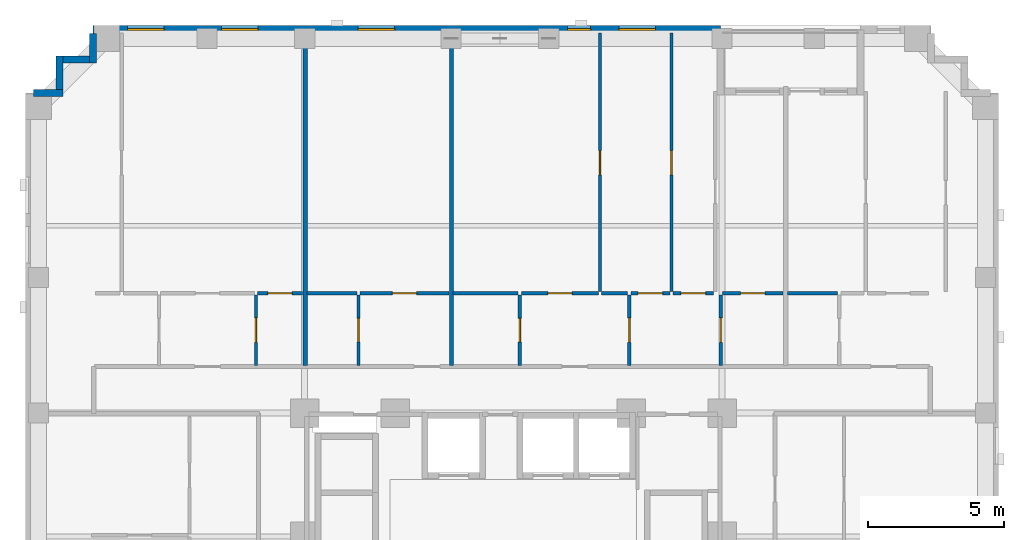
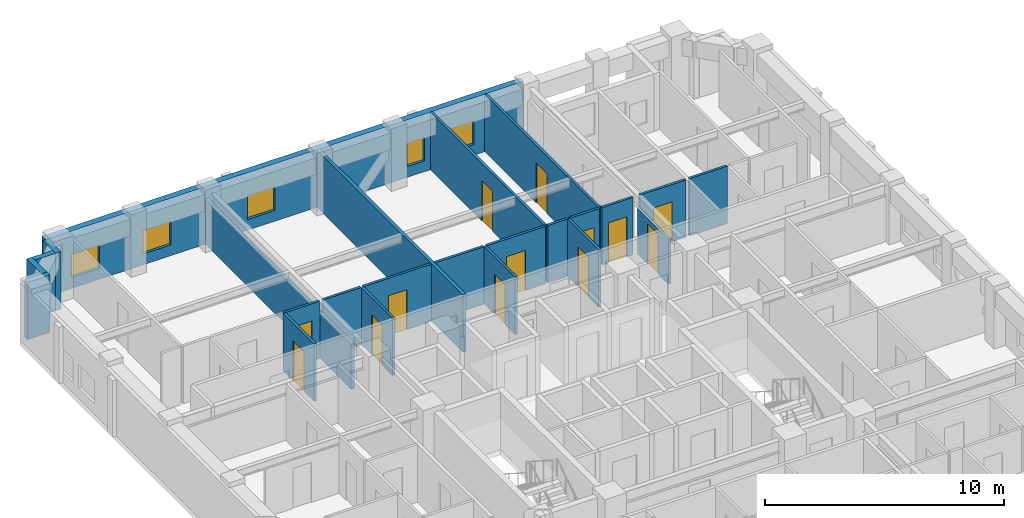
# One storey, part 7 of 12: 24 walls, 13 doors, 5 windows, 18 openings.
"""IFC4 building model written with IfcOpenShell, lengths in metres."""

from ifc_helpers import new_model, si_unit, derived_unit, direction, frame, frame_2d, origin, place, context, subcontext, project, spatial, rectangle, extrude, material, layer, layer_set, type_object, element, fill, save


model = new_model("IFC4")

# Units and contexts
model_context = context("Model", 3, precision=1e-05, world=origin(), true_north=direction((0.0, 1.0)))
body_context = subcontext(model_context, "Body", "Model", "MODEL_VIEW")
ifc_project = project(units=[si_unit("LENGTHUNIT", "METRE"), si_unit("AREAUNIT", "SQUARE_METRE"), si_unit("VOLUMEUNIT", "CUBIC_METRE"), si_unit("PLANEANGLEUNIT", "RADIAN"), si_unit("MASSUNIT", "GRAM", prefix="KILO"), derived_unit("THERMALTRANSMITTANCEUNIT", [(si_unit("MASSUNIT", "GRAM", prefix="KILO"), 1), (si_unit("TIMEUNIT", "SECOND"), -3), (si_unit("THERMODYNAMICTEMPERATUREUNIT", "KELVIN"), -1)])], contexts=[model_context])

# Site, building, storey
site_placement = place(None, origin())
site = spatial("IfcSite", under=ifc_project, at=site_placement, CompositionType="ELEMENT")
building_placement = place(site_placement, origin())
building = spatial("IfcBuilding", under=site, at=building_placement, Name="Korrvale Station Residences", CompositionType="ELEMENT")
storey_placement = place(building_placement, frame((0.0, 0.0, 103.89990234375)))
storey = spatial("IfcBuildingStorey", under=building, at=storey_placement, Name="L29", CompositionType="ELEMENT", Elevation=103.89990234375)

# Walls
ifc_material_1 = material(Name="Precast concrete C45/55", Category="concrete")
ifc_layer_1 = layer(ifc_material_1, 0.260009765625, Name="Precast concrete C45/55")
ifc_layer_set_1 = layer_set([ifc_layer_1], Name="Precast concrete C45/55")
wall_type_1 = type_object("IfcWallType", Name="WAL-EXT-LOG260", PredefinedType="SOLIDWALL", material=ifc_layer_set_1)
wall_1_placement = place(storey_placement, frame((7.802001953125, 40.800048828125, 0.0), z_axis=(0.0, 0.0, 1.0), x_axis=(1.0, 0.0, 0.0)))
element("IfcWall", 1, at=wall_1_placement, inside=storey, type_object=wall_type_1, Name="L29 Serrated Corner Precast Step NW-1", PredefinedType="SOLIDWALL", context=body_context, shape_type="SweptSolid", body=[
    extrude(rectangle(XDim=1.077880859375, YDim=0.260009765625, at=frame_2d((0.5390625, 0.0))), origin(), (0.0, 0.0, 1.0), 2.940185546875),
])
wall_2_placement = place(storey_placement, frame((8.75, 40.931884765625, 0.0), z_axis=(0.0, 0.0, 1.0), x_axis=(0.0, 1.0, 0.0)))
element("IfcWall", 2, at=wall_2_placement, inside=storey, type_object=wall_type_1, Name="L29 Serrated Corner Precast Step NW-2", PredefinedType="SOLIDWALL", context=body_context, shape_type="SweptSolid", body=[
    extrude(rectangle(XDim=1.248046875, YDim=0.260009765625, at=frame_2d((0.6240234375, 0.0))), origin(), (0.0, 0.0, 1.0), 2.940185546875),
])
wall_3_placement = place(storey_placement, frame((8.882080078125, 42.050048828125, 0.0), z_axis=(0.0, 0.0, 1.0), x_axis=(1.0, 0.0, 0.0)))
element("IfcWall", 3, at=wall_3_placement, inside=storey, type_object=wall_type_1, Name="L29 Serrated Corner Precast Step NW-3", PredefinedType="SOLIDWALL", context=body_context, shape_type="SweptSolid", body=[
    extrude(rectangle(XDim=0.98583984375, YDim=0.260009765625, at=frame_2d((0.492919921875, 0.0))), origin(), (0.0, 0.0, 1.0), 2.940185546875),
])
wall_4_placement = place(storey_placement, frame((10.0, 41.919921875, 0.0), z_axis=(0.0, 0.0, 1.0), x_axis=(0.0, 1.0, 0.0)))
element("IfcWall", 4, at=wall_4_placement, inside=storey, type_object=wall_type_1, Name="L29 Serrated Corner Precast Step NW-4", PredefinedType="SOLIDWALL", context=body_context, shape_type="SweptSolid", body=[
    extrude(rectangle(XDim=1.078125, YDim=0.260009765625, at=frame_2d((0.5390625, 0.0))), origin(), (0.0, 0.0, 1.0), 2.940185546875),
])

# Wall, openings, windows
ifc_layer_2 = layer(ifc_material_1, 0.300048828125, Name="Precast concrete C45/55")
ifc_layer_set_2 = layer_set([ifc_layer_2], Name="Precast concrete C45/55")
wall_type_2 = type_object("IfcWallType", Name="WAL-EXT-PC300", PredefinedType="SOLIDWALL", material=ifc_layer_set_2)
wall_5_placement = place(storey_placement, frame((10.0, 43.14990234375, 0.0), z_axis=(0.0, 0.0, 1.0), x_axis=(1.0, 0.0, 0.0)))
wall_5 = element("IfcWall", 5, at=wall_5_placement, inside=storey, type_object=wall_type_2, Name="L29 North Exterior Precast Wall 1", PredefinedType="SOLIDWALL", context=body_context, shape_type="SweptSolid", body=[
    extrude(rectangle(XDim=23.14990234375, YDim=0.300048828125, at=frame_2d((11.574951171875, 0.0))), origin(), (0.0, 0.0, 1.0), 2.940185546875),
])
opening_1_placement = place(wall_5_placement, frame((4.735107421875, 0.0, 0.550048828125)))
opening_1 = element("IfcOpeningElement", 6, at=opening_1_placement, cuts=wall_5, Name="Opening W-10", PredefinedType="OPENING", context=body_context, shape_type="SweptSolid", body=[
    extrude(rectangle(XDim=1.35009765625, YDim=1.199951171875, at=frame_2d((0.675048828125, 0.60009765625))), frame((0.0, 0.16015625, 0.0), z_axis=(0.0, -1.0, 0.0), x_axis=(1.0, 0.0, 0.0)), (0.0, 0.0, 1.0), 0.320068359375),
])
opening_2_placement = place(wall_5_placement, frame((1.27001953125, 0.0, 0.550048828125)))
opening_2 = element("IfcOpeningElement", 7, at=opening_2_placement, cuts=wall_5, Name="Opening W-10", PredefinedType="OPENING", context=body_context, shape_type="SweptSolid", body=[
    extrude(rectangle(XDim=1.35009765625, YDim=1.199951171875, at=frame_2d((0.675048828125, 0.60009765625))), frame((0.0, 0.16015625, 0.0), z_axis=(0.0, -1.0, 0.0), x_axis=(1.0, 0.0, 0.0)), (0.0, 0.0, 1.0), 0.320068359375),
])
opening_3_placement = place(wall_5_placement, frame((9.77294921875, 0.0, 0.550048828125)))
opening_3 = element("IfcOpeningElement", 8, at=opening_3_placement, cuts=wall_5, Name="Opening W-10", PredefinedType="OPENING", context=body_context, shape_type="SweptSolid", body=[
    extrude(rectangle(XDim=1.35009765625, YDim=1.199951171875, at=frame_2d((0.675048828125, 0.60009765625))), frame((0.0, 0.16015625, 0.0), z_axis=(0.0, -1.0, 0.0), x_axis=(1.0, 0.0, 0.0)), (0.0, 0.0, 1.0), 0.320068359375),
])
opening_4_placement = place(wall_5_placement, frame((17.5, 0.0, 0.550048828125)))
opening_4 = element("IfcOpeningElement", 9, at=opening_4_placement, cuts=wall_5, Name="Opening W-11", PredefinedType="OPENING", context=body_context, shape_type="SweptSolid", body=[
    extrude(rectangle(XDim=0.85009765625, YDim=1.199951171875, at=frame_2d((0.425048828125, 0.60009765625))), frame((0.0, 0.16015625, 0.0), z_axis=(0.0, -1.0, 0.0), x_axis=(1.0, 0.0, 0.0)), (0.0, 0.0, 1.0), 0.320068359375),
])
opening_5_placement = place(wall_5_placement, frame((19.39306640625, 0.0, 0.550048828125)))
opening_5 = element("IfcOpeningElement", 10, at=opening_5_placement, cuts=wall_5, Name="Opening W-10", PredefinedType="OPENING", context=body_context, shape_type="SweptSolid", body=[
    extrude(rectangle(XDim=1.35009765625, YDim=1.199951171875, at=frame_2d((0.675048828125, 0.60009765625))), frame((0.0, 0.16015625, 0.0), z_axis=(0.0, -1.0, 0.0), x_axis=(1.0, 0.0, 0.0)), (0.0, 0.0, 1.0), 0.320068359375),
])
ifc_material_2 = material(Name="Thermally broken aluminium frame with triple low-e glazing", Category="aluminium")
window_type_1 = type_object("IfcWindowType", Name="WIN-W10", PartitioningType="SINGLE_PANEL", PredefinedType="WINDOW", material=ifc_material_2)
window_1_placement = place(opening_1_placement, origin())
window_1 = element("IfcWindow", 11, at=window_1_placement, inside=storey, type_object=window_type_1, Name="L29 Punched Window 12", OverallHeight=1.199951171875, OverallWidth=1.35009765625, PartitioningType="SINGLE_PANEL", PredefinedType="WINDOW", context=body_context, shape_type="SweptSolid", body=[
    extrude(rectangle(XDim=1.35009765625, YDim=1.199951171875, at=frame_2d((0.675048828125, 0.60009765625))), frame((0.0, 0.030029296875, 0.0), z_axis=(0.0, -1.0, 0.0), x_axis=(1.0, 0.0, 0.0)), (0.0, 0.0, 1.0), 0.06005859375),
])
fill(opening_1, window_1)
window_2_placement = place(opening_2_placement, origin())
window_2 = element("IfcWindow", 12, at=window_2_placement, inside=storey, type_object=window_type_1, Name="L29 Punched Window 13", OverallHeight=1.199951171875, OverallWidth=1.35009765625, PartitioningType="SINGLE_PANEL", PredefinedType="WINDOW", context=body_context, shape_type="SweptSolid", body=[
    extrude(rectangle(XDim=1.35009765625, YDim=1.199951171875, at=frame_2d((0.675048828125, 0.60009765625))), frame((0.0, 0.030029296875, 0.0), z_axis=(0.0, -1.0, 0.0), x_axis=(1.0, 0.0, 0.0)), (0.0, 0.0, 1.0), 0.06005859375),
])
fill(opening_2, window_2)
window_3_placement = place(opening_3_placement, origin())
window_3 = element("IfcWindow", 13, at=window_3_placement, inside=storey, type_object=window_type_1, Name="L29 Punched Window 14", OverallHeight=1.199951171875, OverallWidth=1.35009765625, PartitioningType="SINGLE_PANEL", PredefinedType="WINDOW", context=body_context, shape_type="SweptSolid", body=[
    extrude(rectangle(XDim=1.35009765625, YDim=1.199951171875, at=frame_2d((0.675048828125, 0.60009765625))), frame((0.0, 0.030029296875, 0.0), z_axis=(0.0, -1.0, 0.0), x_axis=(1.0, 0.0, 0.0)), (0.0, 0.0, 1.0), 0.06005859375),
])
fill(opening_3, window_3)
window_4_placement = place(opening_5_placement, origin())
window_4 = element("IfcWindow", 14, at=window_4_placement, inside=storey, type_object=window_type_1, Name="L29 Punched Window 16", OverallHeight=1.199951171875, OverallWidth=1.35009765625, PartitioningType="SINGLE_PANEL", PredefinedType="WINDOW", context=body_context, shape_type="SweptSolid", body=[
    extrude(rectangle(XDim=1.35009765625, YDim=1.199951171875, at=frame_2d((0.675048828125, 0.60009765625))), frame((0.0, 0.030029296875, 0.0), z_axis=(0.0, -1.0, 0.0), x_axis=(1.0, 0.0, 0.0)), (0.0, 0.0, 1.0), 0.06005859375),
])
fill(opening_5, window_4)
window_type_2 = type_object("IfcWindowType", Name="WIN-W11", PartitioningType="SINGLE_PANEL", PredefinedType="WINDOW", material=ifc_material_2)
window_5_placement = place(opening_4_placement, origin())
window_5 = element("IfcWindow", 15, at=window_5_placement, inside=storey, type_object=window_type_2, Name="L29 Punched Window 15", OverallHeight=1.199951171875, OverallWidth=0.85009765625, PartitioningType="SINGLE_PANEL", PredefinedType="WINDOW", context=body_context, shape_type="SweptSolid", body=[
    extrude(rectangle(XDim=0.85009765625, YDim=1.199951171875, at=frame_2d((0.425048828125, 0.60009765625))), frame((0.0, 0.030029296875, 0.0), z_axis=(0.0, -1.0, 0.0), x_axis=(1.0, 0.0, 0.0)), (0.0, 0.0, 1.0), 0.06005859375),
])
fill(opening_4, window_5)

# Wall, opening, door
ifc_material_3 = material(Name="Acoustic steel-stud gypsum board partition", Category="steel")
ifc_layer_3 = layer(ifc_material_3, 0.1201171875, Name="Acoustic steel-stud gypsum board partition")
ifc_layer_set_3 = layer_set([ifc_layer_3], Name="Acoustic steel-stud gypsum board partition")
wall_type_3 = type_object("IfcWallType", Name="WAL-PART-125", PredefinedType="PARTITIONING", material=ifc_layer_set_3)
wall_6_placement = place(storey_placement, frame((16.001953125, 30.760009765625, 0.0), z_axis=(0.0, 0.0, 1.0), x_axis=(0.0, 1.0, 0.0)))
wall_6 = element("IfcWall", 16, at=wall_6_placement, inside=storey, type_object=wall_type_3, Name="L29 Suite Partition U04-V12", PredefinedType="PARTITIONING", context=body_context, shape_type="SweptSolid", body=[
    extrude(rectangle(XDim=2.60009765625, YDim=0.1201171875, at=frame_2d((1.300048828125, 0.0))), origin(), (0.0, 0.0, 1.0), 2.940185546875),
])
opening_6_placement = place(wall_6_placement, frame((0.85009765625, 0.0, 0.0)))
opening_6 = element("IfcOpeningElement", 17, at=opening_6_placement, cuts=wall_6, Name="Opening DI-900", PredefinedType="OPENING", context=body_context, shape_type="SweptSolid", body=[
    extrude(rectangle(XDim=0.89990234375, YDim=2.050048828125, at=frame_2d((0.449951171875, 1.02490234375))), frame((0.0, 0.070068359375, 0.0), z_axis=(0.0, -1.0, 0.0), x_axis=(1.0, 0.0, 0.0)), (0.0, 0.0, 1.0), 0.14013671875),
])
ifc_material_4 = material(Name="Painted solid-core timber interior room door", Category="wood")
door_type_1 = type_object("IfcDoorType", Name="DR-INT-900", OperationType="NOTDEFINED", PredefinedType="DOOR", material=ifc_material_4)
door_1_placement = place(opening_6_placement, origin())
door_1 = element("IfcDoor", 18, at=door_1_placement, inside=storey, type_object=door_type_1, Name="L29 Studio Apartment L29-U04 Kitchen Door", OperationType="SINGLE_SWING_LEFT", OverallHeight=2.050048828125, OverallWidth=0.89990234375, PredefinedType="DOOR", context=body_context, shape_type="SweptSolid", body=[
    extrude(rectangle(XDim=0.89990234375, YDim=2.050048828125, at=frame_2d((0.449951171875, 1.02490234375))), frame((0.0, 0.02490234375, 0.0), z_axis=(0.0, -1.0, 0.0), x_axis=(1.0, 0.0, 0.0)), (0.0, 0.0, 1.0), 0.050048828125),
])
fill(opening_6, door_1)

wall_7_placement = place(storey_placement, frame((16.06201171875, 33.419921875, 0.0), z_axis=(0.0, 0.0, 1.0), x_axis=(1.0, 0.0, 0.0)))
wall_7 = element("IfcWall", 19, at=wall_7_placement, inside=storey, type_object=wall_type_3, Name="L29 Suite Partition U04-H24", PredefinedType="PARTITIONING", context=body_context, shape_type="SweptSolid", body=[
    extrude(rectangle(XDim=1.657958984375, YDim=0.1201171875, at=frame_2d((0.8291015625, 0.0))), origin(), (0.0, 0.0, 1.0), 2.940185546875),
])
opening_7_placement = place(wall_7_placement, frame((0.37890625, 0.0, 0.0)))
opening_7 = element("IfcOpeningElement", 20, at=opening_7_placement, cuts=wall_7, Name="Opening DI-900", PredefinedType="OPENING", context=body_context, shape_type="SweptSolid", body=[
    extrude(rectangle(XDim=0.89990234375, YDim=2.050048828125, at=frame_2d((0.449951171875, 1.02490234375))), frame((0.0, 0.070068359375, 0.0), z_axis=(0.0, -1.0, 0.0), x_axis=(1.0, 0.0, 0.0)), (0.0, 0.0, 1.0), 0.14013671875),
])
door_2_placement = place(opening_7_placement, origin())
door_2 = element("IfcDoor", 21, at=door_2_placement, inside=storey, type_object=door_type_1, Name="L29 Studio Apartment L29-U04 Utility and Laundry Room Door", OperationType="SINGLE_SWING_LEFT", OverallHeight=2.050048828125, OverallWidth=0.89990234375, PredefinedType="DOOR", context=body_context, shape_type="SweptSolid", body=[
    extrude(rectangle(XDim=0.89990234375, YDim=2.050048828125, at=frame_2d((0.449951171875, 1.02490234375))), frame((0.0, 0.02490234375, 0.0), z_axis=(0.0, -1.0, 0.0), x_axis=(1.0, 0.0, 0.0)), (0.0, 0.0, 1.0), 0.050048828125),
])
fill(opening_7, door_2)

wall_8_placement = place(storey_placement, frame((19.7900390625, 30.760009765625, 0.0), z_axis=(0.0, 0.0, 1.0), x_axis=(0.0, 1.0, 0.0)))
wall_8 = element("IfcWall", 22, at=wall_8_placement, inside=storey, type_object=wall_type_3, Name="L29 Suite Partition U05-V01", PredefinedType="PARTITIONING", context=body_context, shape_type="SweptSolid", body=[
    extrude(rectangle(XDim=2.60009765625, YDim=0.1201171875, at=frame_2d((1.300048828125, 0.0))), origin(), (0.0, 0.0, 1.0), 2.940185546875),
])
opening_8_placement = place(wall_8_placement, frame((0.8701171875, 0.0, 0.0)))
opening_8 = element("IfcOpeningElement", 23, at=opening_8_placement, cuts=wall_8, Name="Opening DB-860", PredefinedType="OPENING", context=body_context, shape_type="SweptSolid", body=[
    extrude(rectangle(XDim=0.860107421875, YDim=2.050048828125, at=frame_2d((0.43017578125, 1.02490234375))), frame((0.0, 0.070068359375, 0.0), z_axis=(0.0, -1.0, 0.0), x_axis=(1.0, 0.0, 0.0)), (0.0, 0.0, 1.0), 0.14013671875),
])
ifc_material_5 = material(Name="Moisture-resistant solid-core bathroom door", Category="timber")
door_type_2 = type_object("IfcDoorType", Name="DR-BATH-860", OperationType="NOTDEFINED", PredefinedType="DOOR", material=ifc_material_5)
door_3_placement = place(opening_8_placement, origin())
door_3 = element("IfcDoor", 24, at=door_3_placement, inside=storey, type_object=door_type_2, Name="L29 Studio Apartment L29-U05 Bathroom Door", OperationType="SINGLE_SWING_LEFT", OverallHeight=2.050048828125, OverallWidth=0.860107421875, PredefinedType="DOOR", context=body_context, shape_type="SweptSolid", body=[
    extrude(rectangle(XDim=0.860107421875, YDim=2.050048828125, at=frame_2d((0.43017578125, 1.02490234375))), frame((0.0, 0.02490234375, 0.0), z_axis=(0.0, -1.0, 0.0), x_axis=(1.0, 0.0, 0.0)), (0.0, 0.0, 1.0), 0.050048828125),
])
fill(opening_8, door_3)

# Wall
wall_9_placement = place(storey_placement, frame((17.8798828125, 33.419921875, 0.0), z_axis=(0.0, 0.0, 1.0), x_axis=(1.0, 0.0, 0.0)))
element("IfcWall", 25, at=wall_9_placement, inside=storey, type_object=wall_type_3, Name="L29 Suite Partition U05-H02", PredefinedType="PARTITIONING", context=body_context, shape_type="SweptSolid", body=[
    extrude(rectangle(XDim=1.85009765625, YDim=0.1201171875, at=frame_2d((0.925048828125, 0.0))), origin(), (0.0, 0.0, 1.0), 2.940185546875),
])

# Wall, opening, door
wall_10_placement = place(storey_placement, frame((19.85009765625, 33.419921875, 0.0), z_axis=(0.0, 0.0, 1.0), x_axis=(1.0, 0.0, 0.0)))
wall_10 = element("IfcWall", 26, at=wall_10_placement, inside=storey, type_object=wall_type_3, Name="L29 Suite Partition U05-H12", PredefinedType="PARTITIONING", context=body_context, shape_type="SweptSolid", body=[
    extrude(rectangle(XDim=3.27001953125, YDim=0.1201171875, at=frame_2d((1.635009765625, 0.0))), origin(), (0.0, 0.0, 1.0), 2.940185546875),
])
opening_9_placement = place(wall_10_placement, frame((1.18505859375, 0.0, 0.0)))
opening_9 = element("IfcOpeningElement", 27, at=opening_9_placement, cuts=wall_10, Name="Opening DI-900", PredefinedType="OPENING", context=body_context, shape_type="SweptSolid", body=[
    extrude(rectangle(XDim=0.89990234375, YDim=2.050048828125, at=frame_2d((0.449951171875, 1.02490234375))), frame((0.0, 0.070068359375, 0.0), z_axis=(0.0, -1.0, 0.0), x_axis=(1.0, 0.0, 0.0)), (0.0, 0.0, 1.0), 0.14013671875),
])
door_4_placement = place(opening_9_placement, origin())
door_4 = element("IfcDoor", 28, at=door_4_placement, inside=storey, type_object=door_type_1, Name="L29 Studio Apartment L29-U05 Kitchen Door", OperationType="SINGLE_SWING_RIGHT", OverallHeight=2.050048828125, OverallWidth=0.89990234375, PredefinedType="DOOR", context=body_context, shape_type="SweptSolid", body=[
    extrude(rectangle(XDim=0.89990234375, YDim=2.050048828125, at=frame_2d((0.449951171875, 1.02490234375))), frame((0.0, 0.02490234375, 0.0), z_axis=(0.0, -1.0, 0.0), x_axis=(1.0, 0.0, 0.0)), (0.0, 0.0, 1.0), 0.050048828125),
])
fill(opening_9, door_4)

wall_11_placement = place(storey_placement, frame((25.739990234375, 30.760009765625, 0.0), z_axis=(0.0, 0.0, 1.0), x_axis=(0.0, 1.0, 0.0)))
wall_11 = element("IfcWall", 29, at=wall_11_placement, inside=storey, type_object=wall_type_3, Name="L29 Suite Partition U06-V01", PredefinedType="PARTITIONING", context=body_context, shape_type="SweptSolid", body=[
    extrude(rectangle(XDim=2.60009765625, YDim=0.1201171875, at=frame_2d((1.300048828125, 0.0))), origin(), (0.0, 0.0, 1.0), 2.940185546875),
])
opening_10_placement = place(wall_11_placement, frame((0.8701171875, 0.0, 0.0)))
opening_10 = element("IfcOpeningElement", 30, at=opening_10_placement, cuts=wall_11, Name="Opening DB-860", PredefinedType="OPENING", context=body_context, shape_type="SweptSolid", body=[
    extrude(rectangle(XDim=0.860107421875, YDim=2.050048828125, at=frame_2d((0.43017578125, 1.02490234375))), frame((0.0, 0.070068359375, 0.0), z_axis=(0.0, -1.0, 0.0), x_axis=(1.0, 0.0, 0.0)), (0.0, 0.0, 1.0), 0.14013671875),
])
door_5_placement = place(opening_10_placement, origin())
door_5 = element("IfcDoor", 31, at=door_5_placement, inside=storey, type_object=door_type_2, Name="L29 Apartment 2BR L29-U06 Bathroom Door", OperationType="SINGLE_SWING_LEFT", OverallHeight=2.050048828125, OverallWidth=0.860107421875, PredefinedType="DOOR", context=body_context, shape_type="SweptSolid", body=[
    extrude(rectangle(XDim=0.860107421875, YDim=2.050048828125, at=frame_2d((0.43017578125, 1.02490234375))), frame((0.0, 0.02490234375, 0.0), z_axis=(0.0, -1.0, 0.0), x_axis=(1.0, 0.0, 0.0)), (0.0, 0.0, 1.0), 0.050048828125),
])
fill(opening_10, door_5)

# Wall
wall_12_placement = place(storey_placement, frame((23.280029296875, 33.419921875, 0.0), z_axis=(0.0, 0.0, 1.0), x_axis=(1.0, 0.0, 0.0)))
element("IfcWall", 32, at=wall_12_placement, inside=storey, type_object=wall_type_3, Name="L29 Suite Partition U06-H04", PredefinedType="PARTITIONING", context=body_context, shape_type="SweptSolid", body=[
    extrude(rectangle(XDim=2.39990234375, YDim=0.1201171875, at=frame_2d((1.199951171875, 0.0))), origin(), (0.0, 0.0, 1.0), 2.940185546875),
])

# Wall, opening, door
wall_13_placement = place(storey_placement, frame((29.780029296875, 30.760009765625, 0.0), z_axis=(0.0, 0.0, 1.0), x_axis=(0.0, 1.0, 0.0)))
wall_13 = element("IfcWall", 33, at=wall_13_placement, inside=storey, type_object=wall_type_3, Name="L29 Suite Partition U06-V12", PredefinedType="PARTITIONING", context=body_context, shape_type="SweptSolid", body=[
    extrude(rectangle(XDim=2.60009765625, YDim=0.1201171875, at=frame_2d((1.300048828125, 0.0))), origin(), (0.0, 0.0, 1.0), 2.940185546875),
])
opening_11_placement = place(wall_13_placement, frame((0.85009765625, 0.0, 0.0)))
opening_11 = element("IfcOpeningElement", 34, at=opening_11_placement, cuts=wall_13, Name="Opening DI-900", PredefinedType="OPENING", context=body_context, shape_type="SweptSolid", body=[
    extrude(rectangle(XDim=0.89990234375, YDim=2.050048828125, at=frame_2d((0.449951171875, 1.02490234375))), frame((0.0, 0.070068359375, 0.0), z_axis=(0.0, -1.0, 0.0), x_axis=(1.0, 0.0, 0.0)), (0.0, 0.0, 1.0), 0.14013671875),
])
door_6_placement = place(opening_11_placement, origin())
door_6 = element("IfcDoor", 35, at=door_6_placement, inside=storey, type_object=door_type_1, Name="L29 Apartment 2BR L29-U06 Kitchen Door", OperationType="SINGLE_SWING_RIGHT", OverallHeight=2.050048828125, OverallWidth=0.89990234375, PredefinedType="DOOR", context=body_context, shape_type="SweptSolid", body=[
    extrude(rectangle(XDim=0.89990234375, YDim=2.050048828125, at=frame_2d((0.449951171875, 1.02490234375))), frame((0.0, 0.02490234375, 0.0), z_axis=(0.0, -1.0, 0.0), x_axis=(1.0, 0.0, 0.0)), (0.0, 0.0, 1.0), 0.050048828125),
])
fill(opening_11, door_6)

wall_14_placement = place(storey_placement, frame((25.800048828125, 33.419921875, 0.0), z_axis=(0.0, 0.0, 1.0), x_axis=(1.0, 0.0, 0.0)))
wall_14 = element("IfcWall", 36, at=wall_14_placement, inside=storey, type_object=wall_type_3, Name="L29 Suite Partition U06-H14", PredefinedType="PARTITIONING", context=body_context, shape_type="SweptSolid", body=[
    extrude(rectangle(XDim=2.837890625, YDim=0.1201171875, at=frame_2d((1.4189453125, 0.0))), origin(), (0.0, 0.0, 1.0), 2.940185546875),
])
opening_12_placement = place(wall_14_placement, frame((0.968994140625, 0.0, 0.0)))
opening_12 = element("IfcOpeningElement", 37, at=opening_12_placement, cuts=wall_14, Name="Opening DI-900", PredefinedType="OPENING", context=body_context, shape_type="SweptSolid", body=[
    extrude(rectangle(XDim=0.89990234375, YDim=2.050048828125, at=frame_2d((0.449951171875, 1.02490234375))), frame((0.0, 0.070068359375, 0.0), z_axis=(0.0, -1.0, 0.0), x_axis=(1.0, 0.0, 0.0)), (0.0, 0.0, 1.0), 0.14013671875),
])
door_7_placement = place(opening_12_placement, origin())
door_7 = element("IfcDoor", 38, at=door_7_placement, inside=storey, type_object=door_type_1, Name="L29 Apartment 2BR L29-U06 Kitchen Door", OperationType="SINGLE_SWING_LEFT", OverallHeight=2.050048828125, OverallWidth=0.89990234375, PredefinedType="DOOR", context=body_context, shape_type="SweptSolid", body=[
    extrude(rectangle(XDim=0.89990234375, YDim=2.050048828125, at=frame_2d((0.449951171875, 1.02490234375))), frame((0.0, 0.02490234375, 0.0), z_axis=(0.0, -1.0, 0.0), x_axis=(1.0, 0.0, 0.0)), (0.0, 0.0, 1.0), 0.050048828125),
])
fill(opening_12, door_7)

# Wall
wall_15_placement = place(storey_placement, frame((28.758056640625, 33.419921875, 0.0), z_axis=(0.0, 0.0, 1.0), x_axis=(1.0, 0.0, 0.0)))
element("IfcWall", 39, at=wall_15_placement, inside=storey, type_object=wall_type_3, Name="L29 Suite Partition U06-H15", PredefinedType="PARTITIONING", context=body_context, shape_type="SweptSolid", body=[
    extrude(rectangle(XDim=0.9619140625, YDim=0.1201171875, at=frame_2d((0.48095703125, 0.0))), origin(), (0.0, 0.0, 1.0), 2.940185546875),
])

# Wall, opening, door
wall_16_placement = place(storey_placement, frame((33.14990234375, 30.760009765625, 0.0), z_axis=(0.0, 0.0, 1.0), x_axis=(0.0, 1.0, 0.0)))
wall_16 = element("IfcWall", 40, at=wall_16_placement, inside=storey, type_object=wall_type_3, Name="L29 Suite Partition U06-V23", PredefinedType="PARTITIONING", context=body_context, shape_type="SweptSolid", body=[
    extrude(rectangle(XDim=2.60009765625, YDim=0.1201171875, at=frame_2d((1.300048828125, 0.0))), origin(), (0.0, 0.0, 1.0), 2.31298828125),
])
opening_13_placement = place(wall_16_placement, frame((0.85009765625, 0.0, 0.0)))
opening_13 = element("IfcOpeningElement", 41, at=opening_13_placement, cuts=wall_16, Name="Opening DI-900", PredefinedType="OPENING", context=body_context, shape_type="SweptSolid", body=[
    extrude(rectangle(XDim=0.89990234375, YDim=2.050048828125, at=frame_2d((0.449951171875, 1.02490234375))), frame((0.0, 0.070068359375, 0.0), z_axis=(0.0, -1.0, 0.0), x_axis=(1.0, 0.0, 0.0)), (0.0, 0.0, 1.0), 0.14013671875),
])
door_8_placement = place(opening_13_placement, origin())
door_8 = element("IfcDoor", 42, at=door_8_placement, inside=storey, type_object=door_type_1, Name="L29 Apartment 2BR L29-U06 Home Study Room Door", OperationType="SINGLE_SWING_RIGHT", OverallHeight=2.050048828125, OverallWidth=0.89990234375, PredefinedType="DOOR", context=body_context, shape_type="SweptSolid", body=[
    extrude(rectangle(XDim=0.89990234375, YDim=2.050048828125, at=frame_2d((0.449951171875, 1.02490234375))), frame((0.0, 0.02490234375, 0.0), z_axis=(0.0, -1.0, 0.0), x_axis=(1.0, 0.0, 0.0)), (0.0, 0.0, 1.0), 0.050048828125),
])
fill(opening_13, door_8)

wall_17_placement = place(storey_placement, frame((29.840087890625, 33.419921875, 0.0), z_axis=(0.0, 0.0, 1.0), x_axis=(1.0, 0.0, 0.0)))
wall_17 = element("IfcWall", 43, at=wall_17_placement, inside=storey, type_object=wall_type_3, Name="L29 Suite Partition U06-H25", PredefinedType="PARTITIONING", context=body_context, shape_type="SweptSolid", body=[
    extrude(rectangle(XDim=1.429931640625, YDim=0.1201171875, at=frame_2d((0.71484375, 0.0))), origin(), (0.0, 0.0, 1.0), 2.940185546875),
])
opening_14_placement = place(wall_17_placement, frame((0.264892578125, 0.0, 0.0)))
opening_14 = element("IfcOpeningElement", 44, at=opening_14_placement, cuts=wall_17, Name="Opening DI-900", PredefinedType="OPENING", context=body_context, shape_type="SweptSolid", body=[
    extrude(rectangle(XDim=0.89990234375, YDim=2.050048828125, at=frame_2d((0.449951171875, 1.02490234375))), frame((0.0, 0.070068359375, 0.0), z_axis=(0.0, -1.0, 0.0), x_axis=(1.0, 0.0, 0.0)), (0.0, 0.0, 1.0), 0.14013671875),
])
door_9_placement = place(opening_14_placement, origin())
door_9 = element("IfcDoor", 45, at=door_9_placement, inside=storey, type_object=door_type_1, Name="L29 Apartment 2BR L29-U06 Home Study Room Door", OperationType="SINGLE_SWING_LEFT", OverallHeight=2.050048828125, OverallWidth=0.89990234375, PredefinedType="DOOR", context=body_context, shape_type="SweptSolid", body=[
    extrude(rectangle(XDim=0.89990234375, YDim=2.050048828125, at=frame_2d((0.449951171875, 1.02490234375))), frame((0.0, 0.02490234375, 0.0), z_axis=(0.0, -1.0, 0.0), x_axis=(1.0, 0.0, 0.0)), (0.0, 0.0, 1.0), 0.050048828125),
])
fill(opening_14, door_9)

wall_18_placement = place(storey_placement, frame((31.389892578125, 33.419921875, 0.0), z_axis=(0.0, 0.0, 1.0), x_axis=(1.0, 0.0, 0.0)))
wall_18 = element("IfcWall", 46, at=wall_18_placement, inside=storey, type_object=wall_type_3, Name="L29 Suite Partition U06-H26", PredefinedType="PARTITIONING", context=body_context, shape_type="SweptSolid", body=[
    extrude(rectangle(XDim=1.5, YDim=0.1201171875, at=frame_2d((0.75, 0.0))), origin(), (0.0, 0.0, 1.0), 2.940185546875),
])
opening_15_placement = place(wall_18_placement, frame((0.300048828125, 0.0, 0.0)))
opening_15 = element("IfcOpeningElement", 47, at=opening_15_placement, cuts=wall_18, Name="Opening DI-900", PredefinedType="OPENING", context=body_context, shape_type="SweptSolid", body=[
    extrude(rectangle(XDim=0.89990234375, YDim=2.050048828125, at=frame_2d((0.449951171875, 1.02490234375))), frame((0.0, 0.070068359375, 0.0), z_axis=(0.0, -1.0, 0.0), x_axis=(1.0, 0.0, 0.0)), (0.0, 0.0, 1.0), 0.14013671875),
])
door_10_placement = place(opening_15_placement, origin())
door_10 = element("IfcDoor", 48, at=door_10_placement, inside=storey, type_object=door_type_1, Name="L29 Apartment 2BR L29-U06 Home Study Room Door", OperationType="SINGLE_SWING_RIGHT", OverallHeight=2.050048828125, OverallWidth=0.89990234375, PredefinedType="DOOR", context=body_context, shape_type="SweptSolid", body=[
    extrude(rectangle(XDim=0.89990234375, YDim=2.050048828125, at=frame_2d((0.449951171875, 1.02490234375))), frame((0.0, 0.02490234375, 0.0), z_axis=(0.0, -1.0, 0.0), x_axis=(1.0, 0.0, 0.0)), (0.0, 0.0, 1.0), 0.050048828125),
])
fill(opening_15, door_10)

wall_19_placement = place(storey_placement, frame((33.2099609375, 33.419921875, 0.0), z_axis=(0.0, 0.0, 1.0), x_axis=(1.0, 0.0, 0.0)))
wall_19 = element("IfcWall", 49, at=wall_19_placement, inside=storey, type_object=wall_type_3, Name="L29 Suite Partition U06-H37", PredefinedType="PARTITIONING", context=body_context, shape_type="SweptSolid", body=[
    extrude(rectangle(XDim=2.239990234375, YDim=0.1201171875, at=frame_2d((1.1201171875, 0.0))), origin(), (0.0, 0.0, 1.0), 2.940185546875),
])
opening_16_placement = place(wall_19_placement, frame((0.669921875, 0.0, 0.0)))
opening_16 = element("IfcOpeningElement", 50, at=opening_16_placement, cuts=wall_19, Name="Opening DI-900", PredefinedType="OPENING", context=body_context, shape_type="SweptSolid", body=[
    extrude(rectangle(XDim=0.89990234375, YDim=2.050048828125, at=frame_2d((0.449951171875, 1.02490234375))), frame((0.0, 0.070068359375, 0.0), z_axis=(0.0, -1.0, 0.0), x_axis=(1.0, 0.0, 0.0)), (0.0, 0.0, 1.0), 0.14013671875),
])
door_11_placement = place(opening_16_placement, origin())
door_11 = element("IfcDoor", 51, at=door_11_placement, inside=storey, type_object=door_type_1, Name="L29 Apartment 2BR L29-U06 Utility and Laundry Room Door", OperationType="SINGLE_SWING_LEFT", OverallHeight=2.050048828125, OverallWidth=0.89990234375, PredefinedType="DOOR", context=body_context, shape_type="SweptSolid", body=[
    extrude(rectangle(XDim=0.89990234375, YDim=2.050048828125, at=frame_2d((0.449951171875, 1.02490234375))), frame((0.0, 0.02490234375, 0.0), z_axis=(0.0, -1.0, 0.0), x_axis=(1.0, 0.0, 0.0)), (0.0, 0.0, 1.0), 0.050048828125),
])
fill(opening_16, door_11)

wall_20_placement = place(storey_placement, frame((28.697998046875, 33.47998046875, 0.0), z_axis=(0.0, 0.0, 1.0), x_axis=(0.0, 1.0, 0.0)))
wall_20 = element("IfcWall", 52, at=wall_20_placement, inside=storey, type_object=wall_type_3, Name="L29 Suite Partition U06-V45", PredefinedType="PARTITIONING", context=body_context, shape_type="SweptSolid", body=[
    extrude(rectangle(XDim=9.5400390625, YDim=0.1201171875, at=frame_2d((4.77001953125, 0.0))), origin(), (0.0, 0.0, 1.0), 2.940185546875),
])
opening_17_placement = place(wall_20_placement, frame((4.304931640625, 0.0, 0.0)))
opening_17 = element("IfcOpeningElement", 53, at=opening_17_placement, cuts=wall_20, Name="Opening DI-900", PredefinedType="OPENING", context=body_context, shape_type="SweptSolid", body=[
    extrude(rectangle(XDim=0.89990234375, YDim=2.050048828125, at=frame_2d((0.449951171875, 1.02490234375))), frame((0.0, 0.070068359375, 0.0), z_axis=(0.0, -1.0, 0.0), x_axis=(1.0, 0.0, 0.0)), (0.0, 0.0, 1.0), 0.14013671875),
])
door_12_placement = place(opening_17_placement, origin())
door_12 = element("IfcDoor", 54, at=door_12_placement, inside=storey, type_object=door_type_1, Name="L29 Apartment 2BR L29-U06 Living and Dining Room Door", OperationType="SINGLE_SWING_RIGHT", OverallHeight=2.050048828125, OverallWidth=0.89990234375, PredefinedType="DOOR", context=body_context, shape_type="SweptSolid", body=[
    extrude(rectangle(XDim=0.89990234375, YDim=2.050048828125, at=frame_2d((0.449951171875, 1.02490234375))), frame((0.0, 0.02490234375, 0.0), z_axis=(0.0, -1.0, 0.0), x_axis=(1.0, 0.0, 0.0)), (0.0, 0.0, 1.0), 0.050048828125),
])
fill(opening_17, door_12)

wall_21_placement = place(storey_placement, frame((31.330078125, 33.47998046875, 0.0), z_axis=(0.0, 0.0, 1.0), x_axis=(0.0, 1.0, 0.0)))
wall_21 = element("IfcWall", 55, at=wall_21_placement, inside=storey, type_object=wall_type_3, Name="L29 Suite Partition U06-V56", PredefinedType="PARTITIONING", context=body_context, shape_type="SweptSolid", body=[
    extrude(rectangle(XDim=9.5400390625, YDim=0.1201171875, at=frame_2d((4.77001953125, 0.0))), origin(), (0.0, 0.0, 1.0), 2.940185546875),
])
opening_18_placement = place(wall_21_placement, frame((4.304931640625, 0.0, 0.0)))
opening_18 = element("IfcOpeningElement", 56, at=opening_18_placement, cuts=wall_21, Name="Opening DI-900", PredefinedType="OPENING", context=body_context, shape_type="SweptSolid", body=[
    extrude(rectangle(XDim=0.89990234375, YDim=2.050048828125, at=frame_2d((0.449951171875, 1.02490234375))), frame((0.0, 0.070068359375, 0.0), z_axis=(0.0, -1.0, 0.0), x_axis=(1.0, 0.0, 0.0)), (0.0, 0.0, 1.0), 0.14013671875),
])
door_13_placement = place(opening_18_placement, origin())
door_13 = element("IfcDoor", 57, at=door_13_placement, inside=storey, type_object=door_type_1, Name="L29 Apartment 2BR L29-U06 Bedroom 1 Door", OperationType="SINGLE_SWING_LEFT", OverallHeight=2.050048828125, OverallWidth=0.89990234375, PredefinedType="DOOR", context=body_context, shape_type="SweptSolid", body=[
    extrude(rectangle(XDim=0.89990234375, YDim=2.050048828125, at=frame_2d((0.449951171875, 1.02490234375))), frame((0.0, 0.02490234375, 0.0), z_axis=(0.0, -1.0, 0.0), x_axis=(1.0, 0.0, 0.0)), (0.0, 0.0, 1.0), 0.050048828125),
])
fill(opening_18, door_13)

# Walls
wall_22_placement = place(storey_placement, frame((35.610107421875, 33.419921875, 0.0), z_axis=(0.0, 0.0, 1.0), x_axis=(1.0, 0.0, 0.0)))
element("IfcWall", 58, at=wall_22_placement, inside=storey, type_object=wall_type_3, Name="L29 Suite Partition U07-H02", PredefinedType="PARTITIONING", context=body_context, shape_type="SweptSolid", body=[
    extrude(rectangle(XDim=1.849853515625, YDim=0.1201171875, at=frame_2d((0.9248046875, 0.0))), origin(), (0.0, 0.0, 1.0), 2.940185546875),
])
ifc_material_6 = material(Name="Fire-rated twin-stud gypsum and mineral wool shaftwall assembly", Category="gypsum")
ifc_layer_4 = layer(ifc_material_6, 0.159912109375, Name="Fire-rated twin-stud gypsum and mineral wool shaftwall assembly")
ifc_layer_set_4 = layer_set([ifc_layer_4], Name="Fire-rated twin-stud gypsum and mineral wool shaftwall assembly")
wall_type_4 = type_object("IfcWallType", Name="WAL-PART-200", PredefinedType="PARTITIONING", material=ifc_layer_set_4)
wall_23_placement = place(storey_placement, frame((17.820068359375, 30.760009765625, 0.0), z_axis=(0.0, 0.0, 1.0), x_axis=(0.0, 1.0, 0.0)))
element("IfcWall", 59, at=wall_23_placement, inside=storey, type_object=wall_type_4, Name="L29 Demising Wall U05-W", PredefinedType="PARTITIONING", context=body_context, shape_type="SweptSolid", body=[
    extrude(rectangle(XDim=12.260009765625, YDim=0.159912109375, at=frame_2d((6.1298828125, 0.0))), origin(), (0.0, 0.0, 1.0), 2.31298828125),
])
wall_24_placement = place(storey_placement, frame((23.219970703125, 30.760009765625, 0.0), z_axis=(0.0, 0.0, 1.0), x_axis=(0.0, 1.0, 0.0)))
element("IfcWall", 60, at=wall_24_placement, inside=storey, type_object=wall_type_4, Name="L29 Demising Wall U06-W", PredefinedType="PARTITIONING", context=body_context, shape_type="SweptSolid", body=[
    extrude(rectangle(XDim=12.260009765625, YDim=0.159912109375, at=frame_2d((6.1298828125, 0.0))), origin(), (0.0, 0.0, 1.0), 2.940185546875),
])

save(model, "model.ifc")
